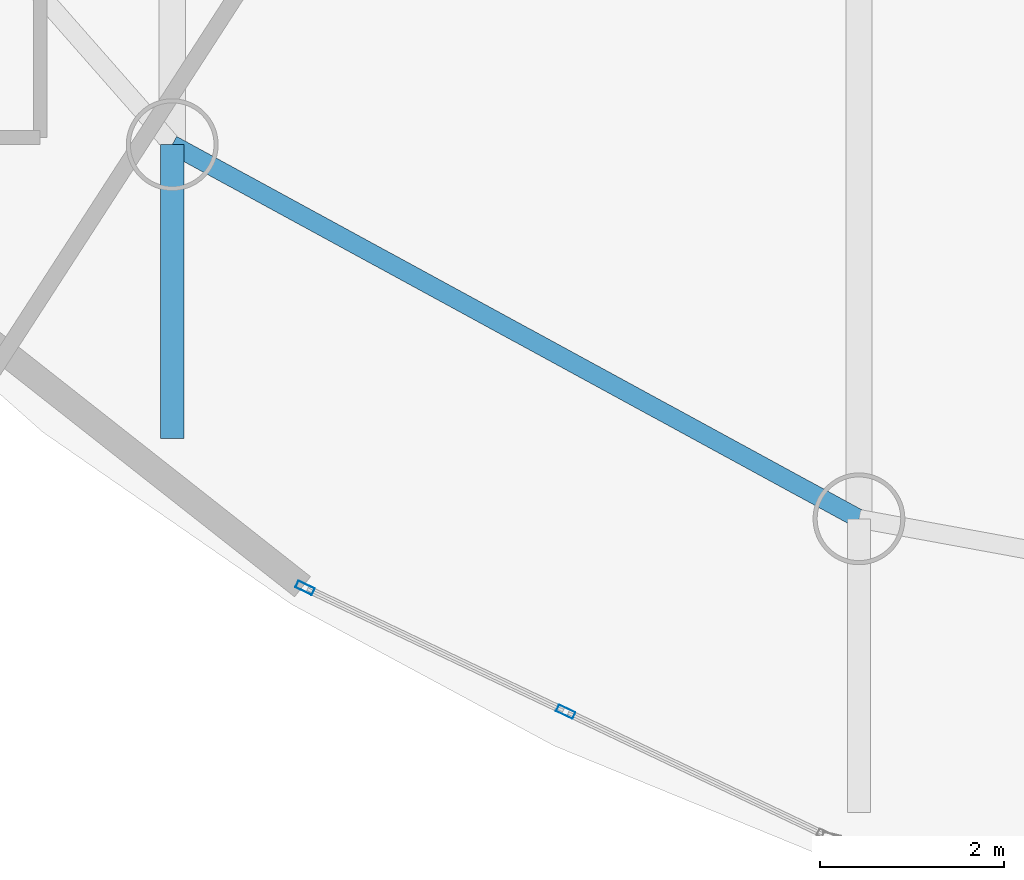
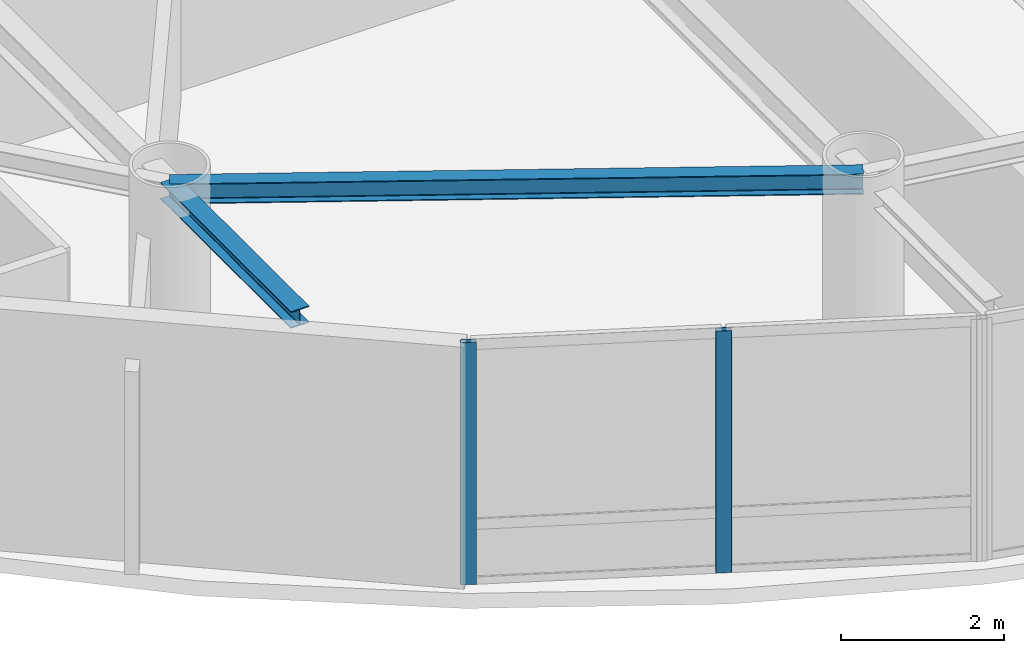
# One storey, part 2 of 20: 2 beams, 2 members, 1 element without a shape of its own.
"""IFC4 building model written with IfcOpenShell, lengths in metres."""

from ifc_helpers import new_model, si_unit, direction, frame, origin, origin_2d, place, context, subcontext, project, spatial, hollow_rectangle, i_section, extrude, material, layer, layer_set, material_profile, profile_set, type_object, element, aggregate, save


model = new_model("IFC4")

# Units and contexts
model_context = context("Model", 3, precision=1e-05, world=origin(), true_north=direction((0.0, 1.0)))
body_context = subcontext(model_context, "Body", "Model", "MODEL_VIEW")
ifc_project = project(units=[si_unit("LENGTHUNIT", "METRE"), si_unit("AREAUNIT", "SQUARE_METRE"), si_unit("VOLUMEUNIT", "CUBIC_METRE"), si_unit("PLANEANGLEUNIT", "RADIAN"), si_unit("MASSUNIT", "GRAM", prefix="KILO")], contexts=[model_context])

# Site, building, storey
site_placement = place(None, origin())
site = spatial("IfcSite", under=ifc_project, at=site_placement, CompositionType="ELEMENT")
building_placement = place(site_placement, origin())
building = spatial("IfcBuilding", under=site, at=building_placement, Name="Bramvorn Convention Spire", CompositionType="ELEMENT")
storey_placement = place(building_placement, frame((0.0, 0.0, 276.699951171875)))
storey = spatial("IfcBuildingStorey", under=building, at=storey_placement, Name="L70", CompositionType="ELEMENT", Elevation=276.699951171875)

# Beams
ifc_material_1 = material(Name="Steel CSA G40.21 Grade 350 (350W)", Category="steel")
ifc_material_profile_1 = material_profile(ifc_material_1, i_section(OverallWidth=0.25390625, OverallDepth=0.2529296875, WebThickness=0.008544921875, FlangeThickness=0.01416015625, FilletRadius=0.011962890625, at=origin_2d()))
ifc_profile_set_1 = profile_set([ifc_material_profile_1], Name="Steel CSA G40.21 Grade 350 (350W) - W250X73")
beam_type_1 = type_object("IfcBeamType", Name="BM-W250X73", PredefinedType="BEAM", material=ifc_profile_set_1)
beam_1_placement = place(storey_placement, frame((28.337646484375, 10.523193359375, 3.49853515625), z_axis=(0.0, -1.0, 0.0), x_axis=(1.0, 0.0, 0.0)))
element("IfcBeam", 1, at=beam_1_placement, inside=storey, type_object=beam_type_1, Name="L70 slab-edge cantilever tip beam MC14", PredefinedType="BEAM", context=body_context, shape_type="SweptSolid", body=[
    extrude(i_section(OverallWidth=0.25390625, OverallDepth=0.2529296875, WebThickness=0.008544921875, FlangeThickness=0.01416015625, FilletRadius=0.011962890625, at=origin_2d()), origin(), (0.0, 0.0, 1.0), 3.199951171875),
])
ifc_material_profile_2 = material_profile(ifc_material_1, i_section(OverallWidth=0.202880859375, OverallDepth=0.302978515625, WebThickness=0.007568359375, FlangeThickness=0.01318359375, FilletRadius=0.013916015625, at=origin_2d()))
ifc_profile_set_2 = profile_set([ifc_material_profile_2], Name="Steel CSA G40.21 Grade 350 (350W) - W310X60")
beam_type_2 = type_object("IfcBeamType", Name="BM-W310X60", PredefinedType="JOIST", material=ifc_profile_set_2)
beam_2_placement = place(storey_placement, frame((28.337646484375, 10.523193359375, 3.4736328125), z_axis=(0.878133224771, -0.478416178189, 0.0), x_axis=(0.478416178189, 0.878133224771, 0.0)))
element("IfcBeam", 2, at=beam_2_placement, inside=storey, type_object=beam_type_2, Name="L70 mega-column ring beam 14", PredefinedType="JOIST", context=body_context, shape_type="SweptSolid", body=[
    extrude(i_section(OverallWidth=0.202880859375, OverallDepth=0.302978515625, WebThickness=0.007568359375, FlangeThickness=0.01318359375, FilletRadius=0.013916015625, at=origin_2d()), origin(), (0.0, 0.0, 1.0), 8.515625),
])

# Curtain wall, members
ifc_material_2 = material(Name="Anodised Bronze Unitised Curtain Wall", Category="aluminium")
ifc_layer = layer(ifc_material_2, 0.179931640625)
ifc_layer_set = layer_set([ifc_layer], Name="Anodised Bronze Unitised Curtain Wall - CW-OFF-FRIT")
curtain_wall_type = type_object("IfcCurtainWallType", Name="CW-OFF-FRIT", PredefinedType="USERDEFINED", material=ifc_layer_set)
curtain_wall_placement = place(storey_placement, origin())
curtain_wall = element("IfcCurtainWall", 3, at=curtain_wall_placement, inside=storey, type_object=curtain_wall_type, Name="L70 fritted glass curtain wall 21", ObjectType="UNITISED CURTAIN WALL", PredefinedType="USERDEFINED")
ifc_material_3 = material(Name="Anodised Bronze Aluminium 6063-T6", Category="aluminium")
ifc_material_profile_3 = material_profile(ifc_material_3, hollow_rectangle(XDim=0.080078125, YDim=0.199951171875, WallThickness=0.00390625, InnerFilletRadius=0.0009765625, OuterFilletRadius=0.00390625, at=origin_2d()))
ifc_profile_set_3 = profile_set([ifc_material_profile_3], Name="Anodised Bronze Aluminium 6063-T6 - CWM80X200")
member_type = type_object("IfcMemberType", Name="CW-MUL-180", PredefinedType="MULLION", material=ifc_profile_set_3)
member_1_placement = place(storey_placement, frame((32.6220703125, 4.347900390625, 0.0), z_axis=(0.0, 0.0, 1.0), x_axis=(-0.429265433629, -0.90317838077, 0.0)))
member_1 = element("IfcMember", 4, at=member_1_placement, type_object=member_type, Name="CW3 mullion 2", PredefinedType="MULLION", context=body_context, shape_type="SweptSolid", body=[
    extrude(hollow_rectangle(XDim=0.080078125, YDim=0.199951171875, WallThickness=0.00390625, InnerFilletRadius=0.0009765625, OuterFilletRadius=0.00390625, at=origin_2d()), origin(), (0.0, 0.0, 1.0), 3.625),
])
member_2_placement = place(storey_placement, frame((29.78369140625, 5.697021484375, 0.0), z_axis=(0.0, 0.0, 1.0), x_axis=(-0.429265433629, -0.90317838077, 0.0)))
member_2 = element("IfcMember", 5, at=member_2_placement, type_object=member_type, Name="CW3 mullion 3", PredefinedType="MULLION", context=body_context, shape_type="SweptSolid", body=[
    extrude(hollow_rectangle(XDim=0.080078125, YDim=0.199951171875, WallThickness=0.00390625, InnerFilletRadius=0.0009765625, OuterFilletRadius=0.00390625, at=origin_2d()), origin(), (0.0, 0.0, 1.0), 3.625),
])
aggregate(curtain_wall, [member_1, member_2])

save(model, "model.ifc")
